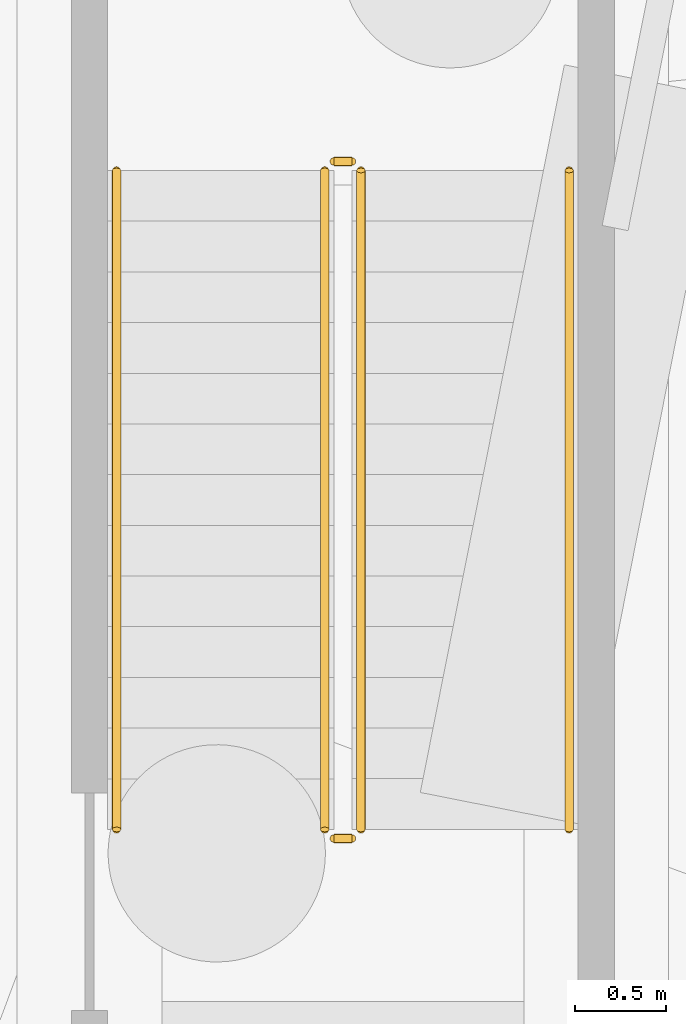
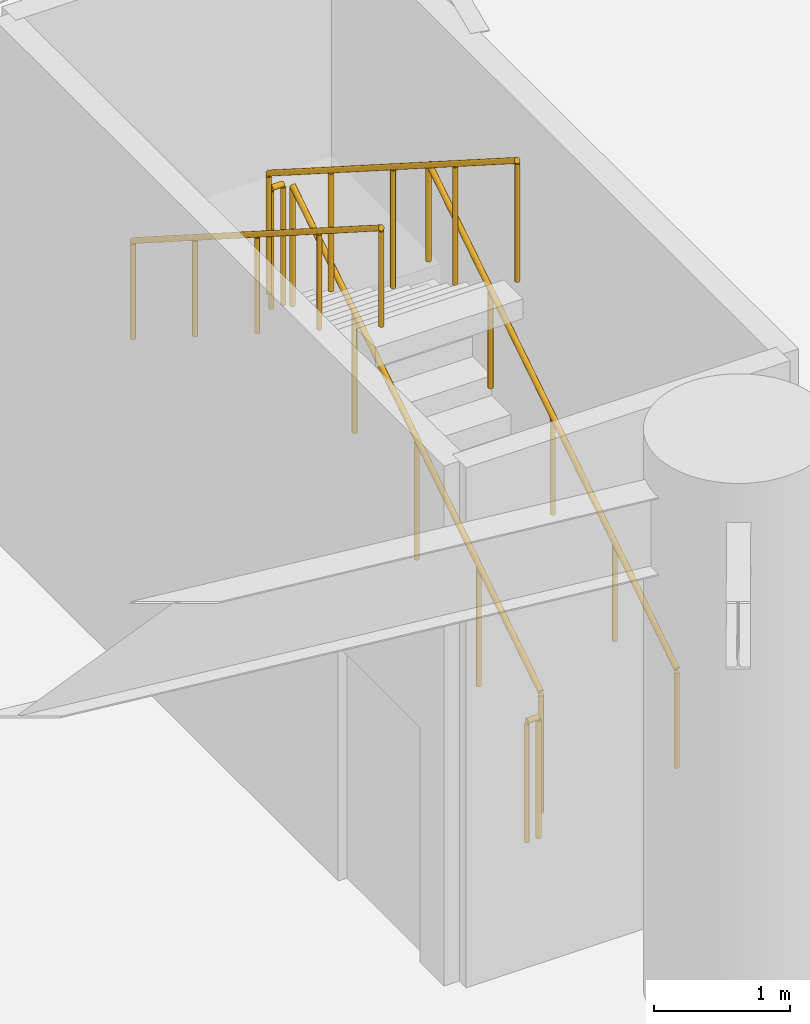
# One storey, part 26 of 28: 6 railings.
"""IFC4 building model written with IfcOpenShell, lengths in metres."""

from ifc_helpers import new_model, si_unit, direction, frame, origin, origin_2d, place, context, subcontext, project, spatial, circle, extrude, material, type_object, element, save


model = new_model("IFC4")

# Units and contexts
model_context = context("Model", 3, precision=1e-05, world=origin(), true_north=direction((0.0, 1.0)))
body_context = subcontext(model_context, "Body", "Model", "MODEL_VIEW")
ifc_project = project(units=[si_unit("LENGTHUNIT", "METRE"), si_unit("AREAUNIT", "SQUARE_METRE"), si_unit("VOLUMEUNIT", "CUBIC_METRE"), si_unit("PLANEANGLEUNIT", "RADIAN"), si_unit("MASSUNIT", "GRAM", prefix="KILO")], contexts=[model_context])

# Site, building, storey
site_placement = place(None, origin())
site = spatial("IfcSite", under=ifc_project, at=site_placement, CompositionType="ELEMENT")
building_placement = place(site_placement, origin())
building = spatial("IfcBuilding", under=site, at=building_placement, Name="Spindrift Exchange Tower", CompositionType="ELEMENT")
storey_placement = place(building_placement, origin())
storey = spatial("IfcBuildingStorey", under=building, at=storey_placement, Name="L00", CompositionType="ELEMENT", Elevation=0.0)

# Railings
ifc_material_1 = material(Name="Steel balustrade", Category="steel")
railing_type_1 = type_object("IfcRailingType", Name="RL-STAIR-GUARD", PredefinedType="GUARDRAIL", material=ifc_material_1)
railing_1_placement = place(storey_placement, frame((85.89990234375, 45.949951171875, 0.178466796875)))
element("IfcRailing", 1, at=railing_1_placement, inside=storey, type_object=railing_type_1, Name="L00 ST5 stair guard 1", PredefinedType="GUARDRAIL", context=body_context, shape_type="SweptSolid", body=[
    extrude(circle(Radius=0.02392578125, at=origin_2d()), frame((0.0, 0.0, 1.076171875), z_axis=(0.0, 0.843127859045, 0.537713132908), x_axis=(-1.0, 0.0, 0.0)), (0.0, 0.0, 1.0), 4.3173828125),
    extrude(circle(Radius=0.02099609375, at=origin_2d()), origin(), (0.0, 0.0, 1.0), 1.052001953125),
    extrude(circle(Radius=0.02099609375, at=origin_2d()), frame((0.0, 0.91015625, 0.580322265625)), (0.0, 0.0, 1.0), 1.052001953125),
    extrude(circle(Radius=0.02099609375, at=origin_2d()), frame((0.0, 1.820068359375, 1.16064453125)), (0.0, 0.0, 1.0), 1.052001953125),
    extrude(circle(Radius=0.02099609375, at=origin_2d()), frame((0.0, 2.72998046875, 1.7412109375)), (0.0, 0.0, 1.0), 1.052001953125),
    extrude(circle(Radius=0.02099609375, at=origin_2d()), frame((0.0, 3.64013671875, 2.321533203125)), (0.0, 0.0, 1.0), 1.052001953125),
])
railing_2_placement = place(storey_placement, frame((85.85009765625, 49.639892578125, 2.5)))
element("IfcRailing", 2, at=railing_2_placement, inside=storey, type_object=railing_type_1, Name="L00 ST5 stair guard 2", PredefinedType="GUARDRAIL", context=body_context, shape_type="SweptSolid", body=[
    extrude(circle(Radius=0.02392578125, at=origin_2d()), frame((0.0, 0.0, 1.076171875), z_axis=(-1.0, 0.0, 0.0), x_axis=(0.0, -1.0, 0.0)), (0.0, 0.0, 1.0), 0.10009765625),
    extrude(circle(Radius=0.02099609375, at=origin_2d()), origin(), (0.0, 0.0, 1.0), 1.052001953125),
    extrude(circle(Radius=0.02099609375, at=origin_2d()), frame((-0.10009765625, 0.0, 0.0)), (0.0, 0.0, 1.0), 1.052001953125),
])
railing_3_placement = place(storey_placement, frame((85.699951171875, 49.590087890625, 2.678466796875)))
element("IfcRailing", 3, at=railing_3_placement, inside=storey, type_object=railing_type_1, Name="L00 ST5 stair guard 3", PredefinedType="GUARDRAIL", context=body_context, shape_type="SweptSolid", body=[
    extrude(circle(Radius=0.02392578125, at=origin_2d()), frame((0.0, 0.0, 1.076171875), z_axis=(0.0, -0.843127859045, 0.537713132908), x_axis=(1.0, 0.0, 0.0)), (0.0, 0.0, 1.0), 4.3173828125),
    extrude(circle(Radius=0.02099609375, at=origin_2d()), origin(), (0.0, 0.0, 1.0), 1.052001953125),
    extrude(circle(Radius=0.02099609375, at=origin_2d()), frame((0.0, -0.91015625, 0.580322265625)), (0.0, 0.0, 1.0), 1.052001953125),
    extrude(circle(Radius=0.02099609375, at=origin_2d()), frame((0.0, -1.820068359375, 1.16064453125)), (0.0, 0.0, 1.0), 1.052001953125),
    extrude(circle(Radius=0.02099609375, at=origin_2d()), frame((0.0, -2.72998046875, 1.7412109375)), (0.0, 0.0, 1.0), 1.052001953125),
    extrude(circle(Radius=0.02099609375, at=origin_2d()), frame((0.0, -3.64013671875, 2.321533203125)), (0.0, 0.0, 1.0), 1.052001953125),
])
railing_4_placement = place(storey_placement, frame((85.85009765625, 45.89990234375, 0.0)))
element("IfcRailing", 4, at=railing_4_placement, inside=storey, type_object=railing_type_1, Name="L00 ST5 stair guard 4", PredefinedType="GUARDRAIL", context=body_context, shape_type="SweptSolid", body=[
    extrude(circle(Radius=0.02392578125, at=origin_2d()), frame((0.0, 0.0, 1.076171875), z_axis=(-1.0, 0.0, 0.0), x_axis=(0.0, -1.0, 0.0)), (0.0, 0.0, 1.0), 0.10009765625),
    extrude(circle(Radius=0.02099609375, at=origin_2d()), origin(), (0.0, 0.0, 1.0), 1.052001953125),
    extrude(circle(Radius=0.02099609375, at=origin_2d()), frame((-0.10009765625, 0.0, 0.0)), (0.0, 0.0, 1.0), 1.052001953125),
])
ifc_material_2 = material(Name="Steel tubular handrail", Category="steel")
railing_type_2 = type_object("IfcRailingType", Name="RL-STAIR-HAND", PredefinedType="HANDRAIL", material=ifc_material_2)
railing_5_placement = place(storey_placement, frame((87.050048828125, 45.949951171875, 0.178466796875)))
element("IfcRailing", 5, at=railing_5_placement, inside=storey, type_object=railing_type_2, Name="L00 ST5 stair handrail 1", PredefinedType="HANDRAIL", context=body_context, shape_type="SweptSolid", body=[
    extrude(circle(Radius=0.02392578125, at=origin_2d()), frame((0.0, 0.0, 0.8759765625), z_axis=(0.0, 0.843127859045, 0.537713132908), x_axis=(-1.0, 0.0, 0.0)), (0.0, 0.0, 1.0), 4.3173828125),
    extrude(circle(Radius=0.02099609375, at=origin_2d()), origin(), (0.0, 0.0, 1.0), 0.851806640625),
    extrude(circle(Radius=0.02099609375, at=origin_2d()), frame((0.0, 0.91015625, 0.580322265625)), (0.0, 0.0, 1.0), 0.851806640625),
    extrude(circle(Radius=0.02099609375, at=origin_2d()), frame((0.0, 1.820068359375, 1.16064453125)), (0.0, 0.0, 1.0), 0.851806640625),
    extrude(circle(Radius=0.02099609375, at=origin_2d()), frame((0.0, 2.72998046875, 1.7412109375)), (0.0, 0.0, 1.0), 0.851806640625),
    extrude(circle(Radius=0.02099609375, at=origin_2d()), frame((0.0, 3.64013671875, 2.321533203125)), (0.0, 0.0, 1.0), 0.851806640625),
])
railing_6_placement = place(storey_placement, frame((84.550048828125, 49.590087890625, 2.678466796875)))
element("IfcRailing", 6, at=railing_6_placement, inside=storey, type_object=railing_type_2, Name="L00 ST5 stair handrail 2", PredefinedType="HANDRAIL", context=body_context, shape_type="SweptSolid", body=[
    extrude(circle(Radius=0.02392578125, at=origin_2d()), frame((0.0, 0.0, 0.8759765625), z_axis=(0.0, -0.843127859045, 0.537713132908), x_axis=(1.0, 0.0, 0.0)), (0.0, 0.0, 1.0), 4.3173828125),
    extrude(circle(Radius=0.02099609375, at=origin_2d()), origin(), (0.0, 0.0, 1.0), 0.851806640625),
    extrude(circle(Radius=0.02099609375, at=origin_2d()), frame((0.0, -0.91015625, 0.580322265625)), (0.0, 0.0, 1.0), 0.851806640625),
    extrude(circle(Radius=0.02099609375, at=origin_2d()), frame((0.0, -1.820068359375, 1.16064453125)), (0.0, 0.0, 1.0), 0.851806640625),
    extrude(circle(Radius=0.02099609375, at=origin_2d()), frame((0.0, -2.72998046875, 1.7412109375)), (0.0, 0.0, 1.0), 0.851806640625),
    extrude(circle(Radius=0.02099609375, at=origin_2d()), frame((0.0, -3.64013671875, 2.321533203125)), (0.0, 0.0, 1.0), 0.851806640625),
])

save(model, "model.ifc")
